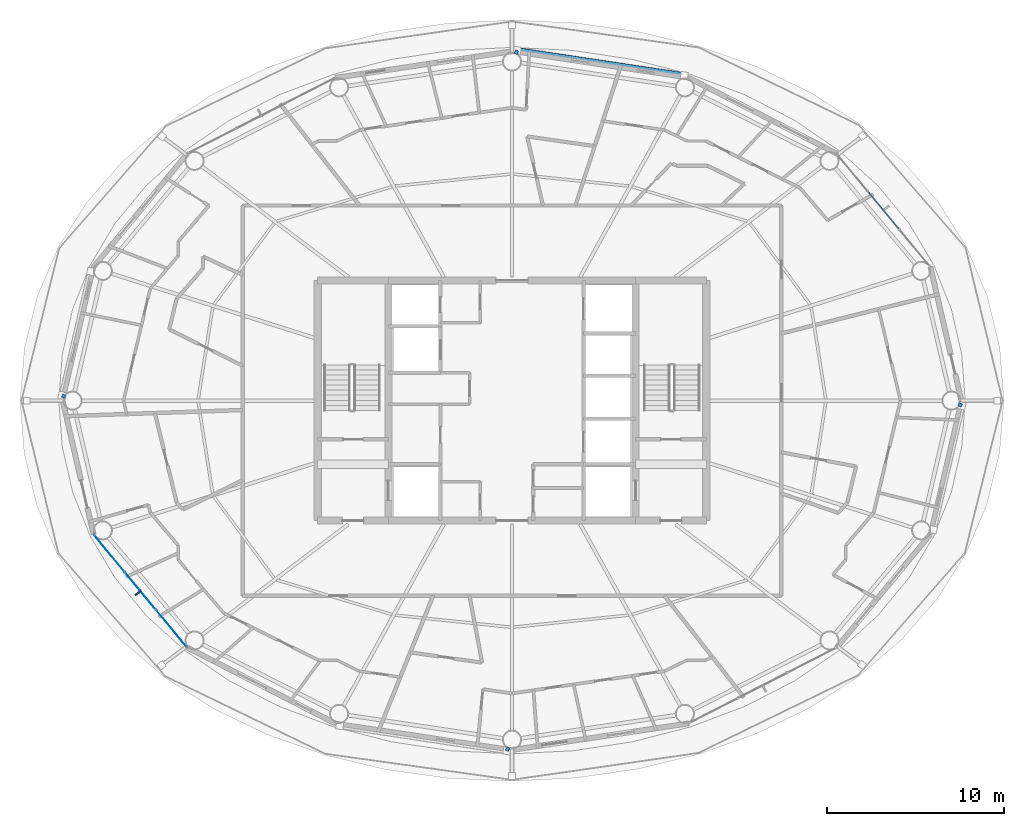
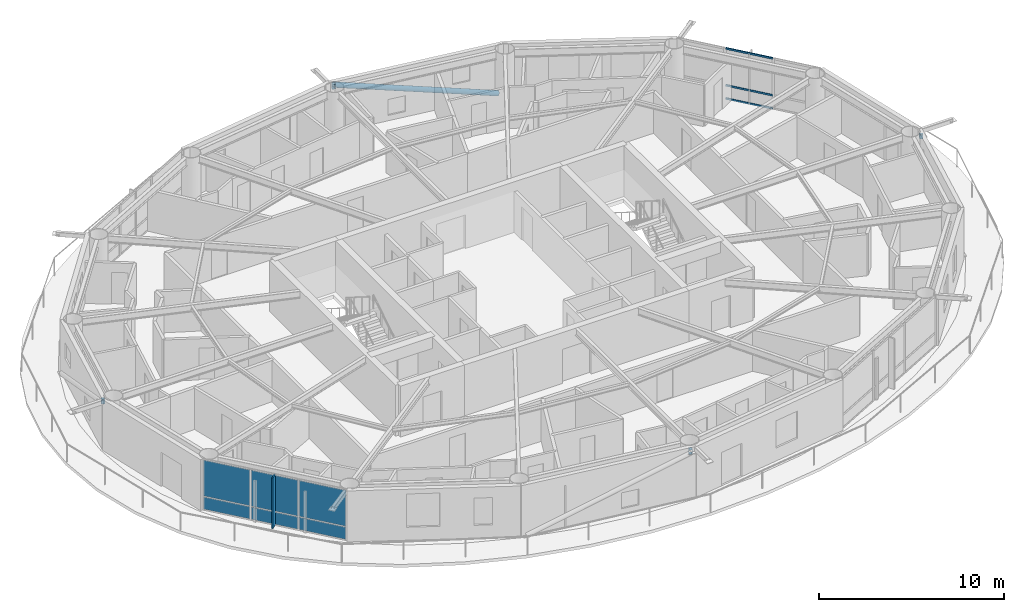
# One storey, part 12 of 23: 8 members, 7 plates, 2 elements without a shape of their own.
"""IFC4 building model written with IfcOpenShell, lengths in metres."""

from ifc_helpers import new_model, si_unit, direction, frame, origin, origin_2d, place, context, subcontext, project, spatial, rectangle, hollow_rectangle, hollow_circle, extrude, material, layer, layer_set, material_profile, profile_set, type_object, element, aggregate, save


model = new_model("IFC4")

# Units and contexts
model_context = context("Model", 3, precision=1e-05, world=origin(), true_north=direction((0.0, 1.0)))
body_context = subcontext(model_context, "Body", "Model", "MODEL_VIEW")
ifc_project = project(units=[si_unit("LENGTHUNIT", "METRE"), si_unit("AREAUNIT", "SQUARE_METRE"), si_unit("VOLUMEUNIT", "CUBIC_METRE"), si_unit("PLANEANGLEUNIT", "RADIAN"), si_unit("MASSUNIT", "GRAM", prefix="KILO")], contexts=[model_context])

# Site, building, storey
site_placement = place(None, origin())
site = spatial("IfcSite", under=ifc_project, at=site_placement, CompositionType="ELEMENT")
building_placement = place(site_placement, origin())
building = spatial("IfcBuilding", under=site, at=building_placement, Name="Sarneth Arch Tower", CompositionType="ELEMENT")
storey_placement = place(building_placement, frame((0.0, 0.0, 242.39990234375)))
storey = spatial("IfcBuildingStorey", under=building, at=storey_placement, Name="L62", CompositionType="ELEMENT", Elevation=242.39990234375)

# Curtain wall, members
ifc_material_1 = material(Name="Anodised aluminium Type AA25 and solar-control low-e laminated IGU", Category="aluminium")
ifc_layer_1 = layer(ifc_material_1, 0.179931640625)
ifc_layer_set_1 = layer_set([ifc_layer_1], Name="Anodised aluminium Type AA25 and solar-control low-e laminated IGU")
curtain_wall_type = type_object("IfcCurtainWallType", Name="CW-RES-HIGH", PredefinedType="NOTDEFINED", material=ifc_layer_set_1)
curtain_wall_1_placement = place(storey_placement, origin())
curtain_wall_1 = element("IfcCurtainWall", 1, at=curtain_wall_1_placement, inside=storey, type_object=curtain_wall_type, Name="L62 Unitised curtain wall facet 02", PredefinedType="NOTDEFINED")
ifc_material_2 = material(Name="Anodised Aluminium 6063-T6", Category="aluminium")
ifc_material_profile_1 = material_profile(ifc_material_2, hollow_rectangle(XDim=0.06005859375, YDim=0.1201171875, WallThickness=0.00390625, at=origin_2d()), Name="AL-TRAN-120x60x4")
ifc_profile_set_1 = profile_set([ifc_material_profile_1], Name="Anodised Aluminium 6063-T6")
member_type_1 = type_object("IfcMemberType", Name="CW-TRANSOM", PredefinedType="USERDEFINED", material=ifc_profile_set_1)
member_1_placement = place(storey_placement, frame((69.904296875, 51.731689453125, 0.030029296875), z_axis=(-0.637617371902, 0.770353222261, 0.0), x_axis=(-0.770353222261, -0.637617371902, 0.0)))
member_1 = element("IfcMember", 2, at=member_1_placement, type_object=member_type_1, Name="CW-SYS-6 transom 2.1", ObjectType="TRANSOM", PredefinedType="USERDEFINED", context=body_context, shape_type="SweptSolid", body=[
    extrude(hollow_rectangle(XDim=0.06005859375, YDim=0.1201171875, WallThickness=0.00390625, at=origin_2d()), origin(), (0.0, 0.0, 1.0), 2.716552734375),
])
member_2_placement = place(storey_placement, frame((69.904296875, 51.731689453125, 0.900146484375), z_axis=(-0.637617371902, 0.770353222261, 0.0), x_axis=(-0.770353222261, -0.637617371902, 0.0)))
member_2 = element("IfcMember", 3, at=member_2_placement, type_object=member_type_1, Name="CW-SYS-6 transom 2.2", ObjectType="TRANSOM", PredefinedType="USERDEFINED", context=body_context, shape_type="SweptSolid", body=[
    extrude(hollow_rectangle(XDim=0.06005859375, YDim=0.1201171875, WallThickness=0.00390625, at=origin_2d()), origin(), (0.0, 0.0, 1.0), 2.716552734375),
])
member_3_placement = place(storey_placement, frame((69.904296875, 51.731689453125, 3.330078125), z_axis=(-0.637617371902, 0.770353222261, 0.0), x_axis=(-0.770353222261, -0.637617371902, 0.0)))
member_3 = element("IfcMember", 4, at=member_3_placement, type_object=member_type_1, Name="CW-SYS-6 transom 2.3", ObjectType="TRANSOM", PredefinedType="USERDEFINED", context=body_context, shape_type="SweptSolid", body=[
    extrude(hollow_rectangle(XDim=0.06005859375, YDim=0.1201171875, WallThickness=0.00390625, at=origin_2d()), origin(), (0.0, 0.0, 1.0), 2.716552734375),
])
aggregate(curtain_wall_1, [member_1, member_2, member_3])

# Members
ifc_material_3 = material(Name="Steel S355", Category="steel")
ifc_material_profile_2 = material_profile(ifc_material_3, hollow_rectangle(XDim=0.199951171875, YDim=0.300048828125, WallThickness=0.012451171875, InnerFilletRadius=0.018798828125, OuterFilletRadius=0.03125, at=origin_2d()), Name="RHS300x200x12.5")
ifc_profile_set_2 = profile_set([ifc_material_profile_2], Name="Steel S355")
member_type_2 = type_object("IfcMemberType", Name="MEM-CANT-STRUT", PredefinedType="STRUT", material=ifc_profile_set_2)
member_4_placement = place(storey_placement, frame((48.199951171875, 61.628173828125, 3.03662109375), z_axis=(0.422710146308, 0.906264934888, 0.0), x_axis=(-0.906264934888, 0.422710146308, 0.0)))
element("IfcMember", 5, at=member_4_placement, inside=storey, type_object=member_type_2, Name="L62 Exoskeleton brace node strut 04B", PredefinedType="STRUT", context=body_context, shape_type="SweptSolid", body=[
    extrude(hollow_rectangle(XDim=0.199951171875, YDim=0.300048828125, WallThickness=0.012451171875, InnerFilletRadius=0.018798828125, OuterFilletRadius=0.03125, at=origin_2d()), origin(), (0.0, 0.0, 1.0), 0.228759765625),
])
member_5_placement = place(storey_placement, frame((22.69287109375, 42.208740234375, 3.03662109375), z_axis=(-0.89699725539, 0.442036111446, 0.0), x_axis=(-0.442036111446, -0.89699725539, 0.0)))
element("IfcMember", 6, at=member_5_placement, inside=storey, type_object=member_type_2, Name="L62 Exoskeleton brace node strut 08B", PredefinedType="STRUT", context=body_context, shape_type="SweptSolid", body=[
    extrude(hollow_rectangle(XDim=0.199951171875, YDim=0.300048828125, WallThickness=0.012451171875, InnerFilletRadius=0.018798828125, OuterFilletRadius=0.03125, at=origin_2d()), origin(), (0.0, 0.0, 1.0), 0.18896484375),
])
member_6_placement = place(storey_placement, frame((47.800048828125, 22.371826171875, 3.03662109375), z_axis=(-0.422710146308, -0.906264934888, 0.0), x_axis=(0.906264934888, -0.422710146308, 0.0)))
element("IfcMember", 7, at=member_6_placement, inside=storey, type_object=member_type_2, Name="L62 Exoskeleton brace node strut 12B", PredefinedType="STRUT", context=body_context, shape_type="SweptSolid", body=[
    extrude(hollow_rectangle(XDim=0.199951171875, YDim=0.300048828125, WallThickness=0.012451171875, InnerFilletRadius=0.018798828125, OuterFilletRadius=0.03125, at=origin_2d()), origin(), (0.0, 0.0, 1.0), 0.228759765625),
])
member_7_placement = place(storey_placement, frame((73.30712890625, 41.791259765625, 3.03662109375), z_axis=(0.89699725539, -0.442036111446, 0.0), x_axis=(0.442036111446, 0.89699725539, 0.0)))
element("IfcMember", 8, at=member_7_placement, inside=storey, type_object=member_type_2, Name="L62 Exoskeleton brace node strut 16B", PredefinedType="STRUT", context=body_context, shape_type="SweptSolid", body=[
    extrude(hollow_rectangle(XDim=0.199951171875, YDim=0.300048828125, WallThickness=0.012451171875, InnerFilletRadius=0.018798828125, OuterFilletRadius=0.03125, at=origin_2d()), origin(), (0.0, 0.0, 1.0), 0.18896484375),
])
ifc_material_4 = material(Name="Steel S355", Category="steel")
ifc_material_profile_3 = material_profile(ifc_material_4, hollow_circle(Radius=0.162109375, WallThickness=0.012451171875, at=origin_2d()), Name="CHS324x12.5")
ifc_profile_set_3 = profile_set([ifc_material_profile_3], Name="Steel S355")
member_type_3 = type_object("IfcMemberType", Name="MEM-DIAG-BR3", PredefinedType="BRACE", material=ifc_profile_set_3)
member_8_placement = place(storey_placement, frame((57.754150390625, 60.411376953125, 0.02001953125), z_axis=(-0.943056107878, 0.142001297879, 0.300800280576), x_axis=(-0.148897148305, -0.988852688335, 0.0)))
element("IfcMember", 9, at=member_8_placement, inside=storey, type_object=member_type_3, Name="L62 Perimeter frame diagonal 04", PredefinedType="BRACE", context=body_context, shape_type="SweptSolid", body=[
    extrude(hollow_circle(Radius=0.162109375, WallThickness=0.012451171875, at=origin_2d()), origin(), (0.0, 0.0, 1.0), 10.028564453125),
])

# Curtain wall, plates
curtain_wall_2_placement = place(storey_placement, origin())
curtain_wall_2 = element("IfcCurtainWall", 10, at=curtain_wall_2_placement, inside=storey, type_object=curtain_wall_type, Name="L62 Unitised curtain wall facet 10", PredefinedType="NOTDEFINED")
ifc_material_5 = material(Name="Solar-control low-e laminated IGU", Category="glass")
ifc_layer_2 = layer(ifc_material_5, 0.028076171875)
ifc_layer_set_2 = layer_set([ifc_layer_2], Name="Solar-control low-e laminated IGU")
plate_type_1 = type_object("IfcPlateType", Name="CW-PANEL", PredefinedType="CURTAIN_PANEL", material=ifc_layer_set_2)
plate_1_placement = place(storey_placement, frame((25.200927734375, 33.349365234375, 0.06005859375), z_axis=(0.0, 0.0, 1.0), x_axis=(0.637610094184, -0.770359245933, 0.0)))
plate_1 = element("IfcPlate", 11, at=plate_1_placement, type_object=plate_type_1, Name="Curtain wall glazed vision pane CW-L62-F10/P00-00", PredefinedType="CURTAIN_PANEL", context=body_context, shape_type="SweptSolid", body=[
    extrude(rectangle(XDim=2.686767578125, YDim=0.028076171875, at=origin_2d()), origin(), (0.0, 0.0, 1.0), 0.81005859375),
])
plate_2_placement = place(storey_placement, frame((25.200927734375, 33.349365234375, 0.929931640625), z_axis=(0.0, 0.0, 1.0), x_axis=(0.637610094184, -0.770359245933, 0.0)))
plate_2 = element("IfcPlate", 12, at=plate_2_placement, type_object=plate_type_1, Name="Curtain wall glazed vision pane CW-L62-F10/P00-01", PredefinedType="CURTAIN_PANEL", context=body_context, shape_type="SweptSolid", body=[
    extrude(rectangle(XDim=2.686767578125, YDim=0.028076171875, at=origin_2d()), origin(), (0.0, 0.0, 1.0), 2.3701171875),
])
plate_3_placement = place(storey_placement, frame((26.9619140625, 31.221923828125, 0.06005859375), z_axis=(0.0, 0.0, 1.0), x_axis=(0.637610094184, -0.770359245933, 0.0)))
plate_3 = element("IfcPlate", 13, at=plate_3_placement, type_object=plate_type_1, Name="Curtain wall glazed vision pane CW-L62-F10/P01-00", PredefinedType="CURTAIN_PANEL", context=body_context, shape_type="SweptSolid", body=[
    extrude(rectangle(XDim=2.716552734375, YDim=0.028076171875, at=origin_2d()), origin(), (0.0, 0.0, 1.0), 0.81005859375),
])
plate_4_placement = place(storey_placement, frame((26.9619140625, 31.221923828125, 0.929931640625), z_axis=(0.0, 0.0, 1.0), x_axis=(0.637610094184, -0.770359245933, 0.0)))
plate_4 = element("IfcPlate", 14, at=plate_4_placement, type_object=plate_type_1, Name="Curtain wall glazed vision pane CW-L62-F10/P01-01", PredefinedType="CURTAIN_PANEL", context=body_context, shape_type="SweptSolid", body=[
    extrude(rectangle(XDim=2.716552734375, YDim=0.028076171875, at=origin_2d()), origin(), (0.0, 0.0, 1.0), 2.3701171875),
])
plate_5_placement = place(storey_placement, frame((28.72265625, 29.094482421875, 0.06005859375), z_axis=(0.0, 0.0, 1.0), x_axis=(0.637610094184, -0.770359245933, 0.0)))
plate_5 = element("IfcPlate", 15, at=plate_5_placement, type_object=plate_type_1, Name="Curtain wall glazed vision pane CW-L62-F10/P02-00", PredefinedType="CURTAIN_PANEL", context=body_context, shape_type="SweptSolid", body=[
    extrude(rectangle(XDim=2.686767578125, YDim=0.028076171875, at=origin_2d()), origin(), (0.0, 0.0, 1.0), 0.81005859375),
])
plate_6_placement = place(storey_placement, frame((28.72265625, 29.094482421875, 0.929931640625), z_axis=(0.0, 0.0, 1.0), x_axis=(0.637610094184, -0.770359245933, 0.0)))
plate_6 = element("IfcPlate", 16, at=plate_6_placement, type_object=plate_type_1, Name="Curtain wall glazed vision pane CW-L62-F10/P02-01", PredefinedType="CURTAIN_PANEL", context=body_context, shape_type="SweptSolid", body=[
    extrude(rectangle(XDim=2.686767578125, YDim=0.028076171875, at=origin_2d()), origin(), (0.0, 0.0, 1.0), 2.3701171875),
])
aggregate(curtain_wall_2, [plate_1, plate_2, plate_3, plate_4, plate_5, plate_6])

# Plate
ifc_material_6 = material(Name="Extruded glazed terracotta baguette fin on Aluminium 6063-T6 carrier", Category="masonry")
ifc_layer_3 = layer(ifc_material_6, 0.080078125)
ifc_layer_set_3 = layer_set([ifc_layer_3], Name="Extruded glazed terracotta baguette fin on Aluminium 6063-T6 carrier")
plate_type_2 = type_object("IfcPlateType", Name="SHADE-TERRA-FIN", PredefinedType="SHEET", material=ifc_layer_set_3)
plate_7_placement = place(storey_placement, frame((26.830810546875, 31.113525390625, 0.01025390625), z_axis=(0.0, 0.0, 1.0), x_axis=(-0.770401979567, -0.63755845997, 0.0)))
element("IfcPlate", 17, at=plate_7_placement, inside=storey, type_object=plate_type_2, Name="L62 Terracotta vertical shading fin 10", PredefinedType="SHEET", context=body_context, shape_type="SweptSolid", body=[
    extrude(rectangle(XDim=0.419921875, YDim=0.080078125, at=origin_2d()), origin(), (0.0, 0.0, 1.0), 3.340087890625),
])

save(model, "model.ifc")
